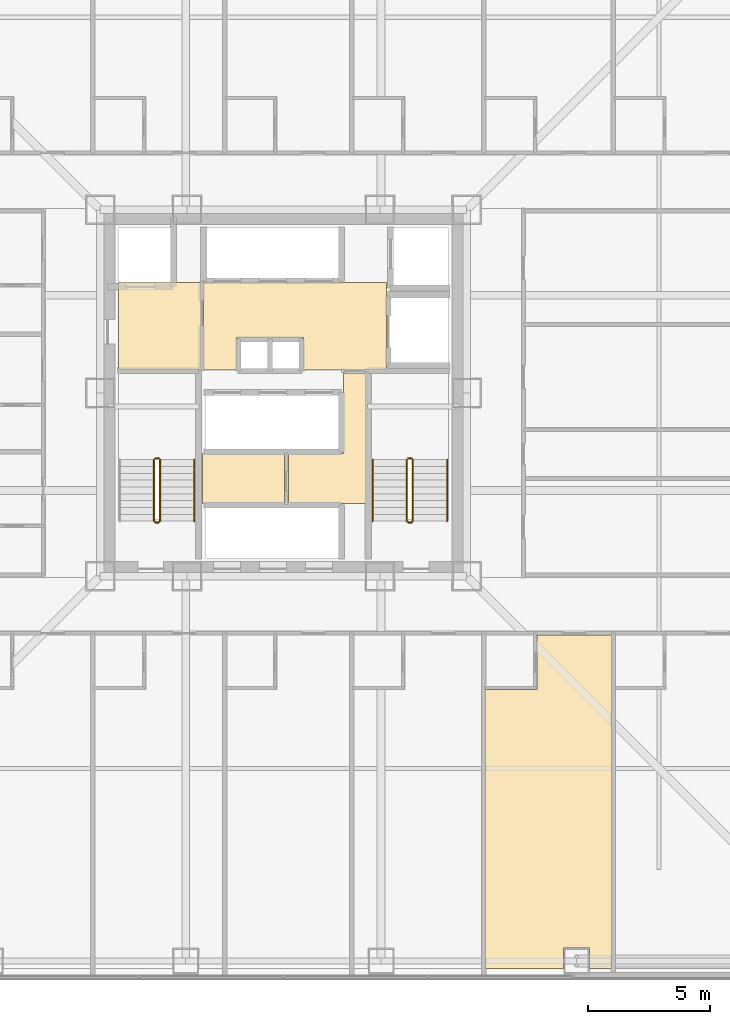
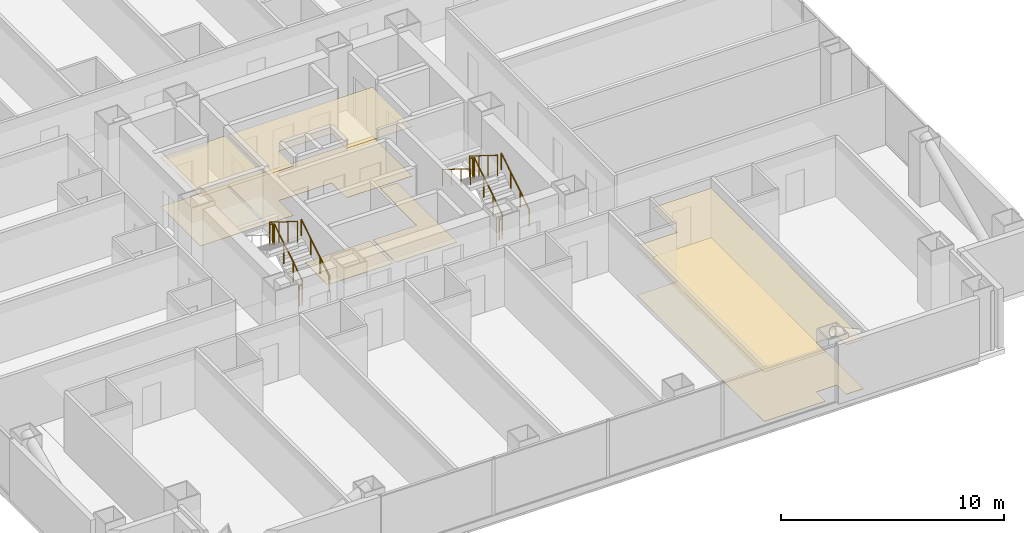
# One storey, part 22 of 23: 11 railings, 8 coverings.
"""IFC4 building model written with IfcOpenShell, lengths in metres."""

from ifc_helpers import new_model, si_unit, direction, frame, origin, origin_2d, place, context, subcontext, project, spatial, polyline, circle, outline, extrude, material, layer, layer_set, type_object, element, save


model = new_model("IFC4")

# Units and contexts
model_context = context("Model", 3, precision=1e-05, world=origin(), true_north=direction((0.0, 1.0)))
body_context = subcontext(model_context, "Body", "Model", "MODEL_VIEW")
ifc_project = project(units=[si_unit("LENGTHUNIT", "METRE"), si_unit("AREAUNIT", "SQUARE_METRE"), si_unit("VOLUMEUNIT", "CUBIC_METRE"), si_unit("PLANEANGLEUNIT", "RADIAN"), si_unit("MASSUNIT", "GRAM", prefix="KILO")], contexts=[model_context])

# Site, building, storey
site_placement = place(None, origin())
site = spatial("IfcSite", under=ifc_project, at=site_placement, CompositionType="ELEMENT")
building_placement = place(site_placement, origin())
building = spatial("IfcBuilding", under=site, at=building_placement, Name="Trevonay Congress Spire", CompositionType="ELEMENT")
storey_placement = place(building_placement, frame((0.0, 0.0, 34.0)))
storey = spatial("IfcBuildingStorey", under=building, at=storey_placement, Name="L07", CompositionType="ELEMENT", Elevation=34.0)

# Coverings
ifc_material_1 = material(Name="Acoustic Mineral Fibre Board", Category="gypsum")
ifc_layer_1 = layer(ifc_material_1, 0.02490234375, Name="Acoustic Mineral Fibre Board")
ifc_layer_set_1 = layer_set([ifc_layer_1], Name="Acoustic Mineral Fibre Board")
covering_type_1 = type_object("IfcCoveringType", Name="COV-CEIL-ACOUSTIC", PredefinedType="CEILING", material=ifc_layer_set_1)
covering_1_placement = place(storey_placement, frame((0.0, 0.0, 2.699951171875)))
element("IfcCovering", 1, at=covering_1_placement, inside=storey, type_object=covering_type_1, Name="L07 Firefighting Lift Lobby West acoustic suspended ceiling", PredefinedType="CEILING", context=body_context, shape_type="SweptSolid", body=[
    extrude(outline(polyline([(-6.75, 0.9599609375), (-3.3798828125, 0.9599609375), (-3.3798828125, 4.52001953125), (-6.75, 4.52001953125), (-6.75, 0.9599609375)])), origin(), (0.0, 0.0, 1.0), 0.025146484375),
])
covering_2_placement = place(storey_placement, frame((0.0, 0.0, 2.699951171875)))
element("IfcCovering", 2, at=covering_2_placement, inside=storey, type_object=covering_type_1, Name="L07 Central and High-Rise Passenger Lift Lobby acoustic suspended ceiling", PredefinedType="CEILING", context=body_context, shape_type="SweptSolid", body=[
    extrude(outline(polyline([(-3.280029296875, 0.949951171875), (-1.919921875, 0.949951171875), (-1.919921875, 2.280029296875), (0.820068359375, 2.280029296875), (0.820068359375, 0.949951171875), (4.219970703125, 0.949951171875), (4.219970703125, 4.52001953125), (-3.280029296875, 4.52001953125), (-3.280029296875, 0.949951171875)])), origin(), (0.0, 0.0, 1.0), 0.025146484375),
])
covering_3_placement = place(storey_placement, frame((0.0, 0.0, 2.699951171875)))
element("IfcCovering", 3, at=covering_3_placement, inside=storey, type_object=covering_type_1, Name="L07 Hotel Guest Room acoustic suspended ceiling", PredefinedType="CEILING", context=body_context, shape_type="SweptSolid", body=[
    extrude(outline(polyline([(8.280029296875, -23.550048828125), (8.280029296875, -12.139892578125), (10.3701171875, -12.139892578125), (10.3701171875, -9.909912109375), (13.419921875, -9.909912109375), (13.419921875, -23.550048828125), (12.534912109375, -23.550048828125), (12.534912109375, -22.715087890625), (11.465087890625, -22.715087890625), (11.465087890625, -23.550048828125), (8.280029296875, -23.550048828125)])), origin(), (0.0, 0.0, 1.0), 0.025146484375),
])
ifc_material_2 = material(Name="Polished Granite Floor Tile", Category="masonry")
ifc_layer_2 = layer(ifc_material_2, 0.02001953125, Name="Polished Granite Floor Tile")
ifc_layer_set_2 = layer_set([ifc_layer_2], Name="Polished Granite Floor Tile")
covering_type_2 = type_object("IfcCoveringType", Name="COV-FLOOR-STONE", PredefinedType="FLOORING", material=ifc_layer_set_2)
covering_4_placement = place(storey_placement, origin())
element("IfcCovering", 4, at=covering_4_placement, inside=storey, type_object=covering_type_2, Name="L07 Firefighting Lift Lobby West floor finish", PredefinedType="FLOORING", context=body_context, shape_type="SweptSolid", body=[
    extrude(outline(polyline([(-6.75, 0.9599609375), (-3.3798828125, 0.9599609375), (-3.3798828125, 4.52001953125), (-6.75, 4.52001953125), (-6.75, 0.9599609375)])), origin(), (0.0, 0.0, 1.0), 0.02001953125),
])
covering_5_placement = place(storey_placement, origin())
element("IfcCovering", 5, at=covering_5_placement, inside=storey, type_object=covering_type_2, Name="L07 Central and High-Rise Passenger Lift Lobby floor finish", PredefinedType="FLOORING", context=body_context, shape_type="SweptSolid", body=[
    extrude(outline(polyline([(-3.280029296875, 0.949951171875), (-1.919921875, 0.949951171875), (-1.919921875, 2.280029296875), (0.820068359375, 2.280029296875), (0.820068359375, 0.949951171875), (4.219970703125, 0.949951171875), (4.219970703125, 4.52001953125), (-3.280029296875, 4.52001953125), (-3.280029296875, 0.949951171875)])), origin(), (0.0, 0.0, 1.0), 0.02001953125),
])
covering_6_placement = place(storey_placement, origin())
element("IfcCovering", 6, at=covering_6_placement, inside=storey, type_object=covering_type_2, Name="L07 Cleaner and Linen Closet floor finish", PredefinedType="FLOORING", context=body_context, shape_type="SweptSolid", body=[
    extrude(outline(polyline([(-3.320068359375, -4.52001953125), (0.050048828125, -4.52001953125), (0.050048828125, -2.47998046875), (-3.320068359375, -2.47998046875), (-3.320068359375, -4.52001953125)])), origin(), (0.0, 0.0, 1.0), 0.02001953125),
])
covering_7_placement = place(storey_placement, origin())
element("IfcCovering", 7, at=covering_7_placement, inside=storey, type_object=covering_type_2, Name="L07 BMS Control Room floor finish", PredefinedType="FLOORING", context=body_context, shape_type="SweptSolid", body=[
    extrude(outline(polyline([(0.199951171875, -4.52001953125), (3.3798828125, -4.52001953125), (3.3798828125, 0.820068359375), (2.4599609375, 0.820068359375), (2.4599609375, -2.47998046875), (0.199951171875, -2.47998046875), (0.199951171875, -4.52001953125)])), origin(), (0.0, 0.0, 1.0), 0.02001953125),
])
ifc_material_3 = material(Name="Engineered Oak Flooring", Category="wood")
ifc_layer_3 = layer(ifc_material_3, 0.01806640625, Name="Engineered Oak Flooring")
ifc_layer_set_3 = layer_set([ifc_layer_3], Name="Engineered Oak Flooring")
covering_type_3 = type_object("IfcCoveringType", Name="COV-FLOOR-TIMBER", PredefinedType="FLOORING", material=ifc_layer_set_3)
covering_8_placement = place(storey_placement, origin())
element("IfcCovering", 8, at=covering_8_placement, inside=storey, type_object=covering_type_3, Name="L07 Hotel Guest Room floor finish", PredefinedType="FLOORING", context=body_context, shape_type="SweptSolid", body=[
    extrude(outline(polyline([(8.280029296875, -23.550048828125), (8.280029296875, -12.139892578125), (10.3701171875, -12.139892578125), (10.3701171875, -9.909912109375), (13.419921875, -9.909912109375), (13.419921875, -23.550048828125), (12.534912109375, -23.550048828125), (12.534912109375, -22.715087890625), (11.465087890625, -22.715087890625), (11.465087890625, -23.550048828125), (8.280029296875, -23.550048828125)])), origin(), (0.0, 0.0, 1.0), 0.01806640625),
])

# Railings
ifc_material_4 = material(Name="Pale Anodised Aluminium EN AW-6063-T6", Category="aluminium")
railing_type_1 = type_object("IfcRailingType", Name="RAL-STAIR-GUARD-110", PredefinedType="GUARDRAIL", material=ifc_material_4)
railing_1_placement = place(storey_placement, frame((-5.050048828125, -5.25, 0.175048828125)))
element("IfcRailing", 9, at=railing_1_placement, inside=storey, type_object=railing_type_1, Name="L07 ST-1 stair guard 1", PredefinedType="GUARDRAIL", context=body_context, shape_type="SweptSolid", body=[
    extrude(circle(Radius=0.02392578125, at=origin_2d()), frame((0.0, 0.0, 1.1259765625), z_axis=(0.0, 0.848007534815, 0.529984170421), x_axis=(-1.0, 0.0, 0.0)), (0.0, 0.0, 1.0), 2.9716796875),
    extrude(circle(Radius=0.02099609375, at=origin_2d()), origin(), (0.0, 0.0, 1.0), 1.101806640625),
    extrude(circle(Radius=0.02099609375, at=origin_2d()), frame((0.0, 0.840087890625, 0.52490234375)), (0.0, 0.0, 1.0), 1.101806640625),
    extrude(circle(Radius=0.02099609375, at=origin_2d()), frame((0.0, 1.679931640625, 1.050048828125)), (0.0, 0.0, 1.0), 1.101806640625),
    extrude(circle(Radius=0.02099609375, at=origin_2d()), frame((0.0, 2.52001953125, 1.574951171875)), (0.0, 0.0, 1.0), 1.101806640625),
])
railing_2_placement = place(storey_placement, frame((-5.10009765625, -2.679931640625, 1.75)))
element("IfcRailing", 10, at=railing_2_placement, inside=storey, type_object=railing_type_1, Name="L07 ST-1 stair guard 2", PredefinedType="GUARDRAIL", context=body_context, shape_type="SweptSolid", body=[
    extrude(circle(Radius=0.02392578125, at=origin_2d()), frame((0.0, 0.0, 1.1259765625), z_axis=(-1.0, 0.0, 0.0), x_axis=(0.0, -1.0, 0.0)), (0.0, 0.0, 1.0), 0.14990234375),
    extrude(circle(Radius=0.02099609375, at=origin_2d()), origin(), (0.0, 0.0, 1.0), 1.101806640625),
    extrude(circle(Radius=0.02099609375, at=origin_2d()), frame((-0.14990234375, 0.0, 0.0)), (0.0, 0.0, 1.0), 1.101806640625),
])
railing_3_placement = place(storey_placement, frame((-5.300048828125, -2.72998046875, 1.925048828125)))
element("IfcRailing", 11, at=railing_3_placement, inside=storey, type_object=railing_type_1, Name="L07 ST-1 stair guard 3", PredefinedType="GUARDRAIL", context=body_context, shape_type="SweptSolid", body=[
    extrude(circle(Radius=0.02392578125, at=origin_2d()), frame((0.0, 0.0, 1.1259765625), z_axis=(0.0, -0.848007534815, 0.529984170421), x_axis=(1.0, 0.0, 0.0)), (0.0, 0.0, 1.0), 2.9716796875),
    extrude(circle(Radius=0.02099609375, at=origin_2d()), origin(), (0.0, 0.0, 1.0), 1.101806640625),
    extrude(circle(Radius=0.02099609375, at=origin_2d()), frame((0.0, -0.840087890625, 0.52490234375)), (0.0, 0.0, 1.0), 1.101806640625),
    extrude(circle(Radius=0.02099609375, at=origin_2d()), frame((0.0, -1.679931640625, 1.050048828125)), (0.0, 0.0, 1.0), 1.101806640625),
    extrude(circle(Radius=0.02099609375, at=origin_2d()), frame((0.0, -2.52001953125, 1.574951171875)), (0.0, 0.0, 1.0), 1.101806640625),
])
railing_4_placement = place(storey_placement, frame((-5.10009765625, -5.300048828125, 0.0)))
element("IfcRailing", 12, at=railing_4_placement, inside=storey, type_object=railing_type_1, Name="L07 ST-1 stair guard 4", PredefinedType="GUARDRAIL", context=body_context, shape_type="SweptSolid", body=[
    extrude(circle(Radius=0.02392578125, at=origin_2d()), frame((0.0, 0.0, 1.1259765625), z_axis=(-1.0, 0.0, 0.0), x_axis=(0.0, -1.0, 0.0)), (0.0, 0.0, 1.0), 0.14990234375),
    extrude(circle(Radius=0.02099609375, at=origin_2d()), origin(), (0.0, 0.0, 1.0), 1.101806640625),
    extrude(circle(Radius=0.02099609375, at=origin_2d()), frame((-0.14990234375, 0.0, 0.0)), (0.0, 0.0, 1.0), 1.101806640625),
])
railing_5_placement = place(storey_placement, frame((5.300048828125, -5.25, 0.175048828125)))
element("IfcRailing", 13, at=railing_5_placement, inside=storey, type_object=railing_type_1, Name="L07 ST-2 stair guard 1", PredefinedType="GUARDRAIL", context=body_context, shape_type="SweptSolid", body=[
    extrude(circle(Radius=0.02392578125, at=origin_2d()), frame((0.0, 0.0, 1.1259765625), z_axis=(0.0, 0.848007534815, 0.529984170421), x_axis=(-1.0, 0.0, 0.0)), (0.0, 0.0, 1.0), 2.9716796875),
    extrude(circle(Radius=0.02099609375, at=origin_2d()), origin(), (0.0, 0.0, 1.0), 1.101806640625),
    extrude(circle(Radius=0.02099609375, at=origin_2d()), frame((0.0, 0.840087890625, 0.52490234375)), (0.0, 0.0, 1.0), 1.101806640625),
    extrude(circle(Radius=0.02099609375, at=origin_2d()), frame((0.0, 1.679931640625, 1.050048828125)), (0.0, 0.0, 1.0), 1.101806640625),
    extrude(circle(Radius=0.02099609375, at=origin_2d()), frame((0.0, 2.52001953125, 1.574951171875)), (0.0, 0.0, 1.0), 1.101806640625),
])
railing_6_placement = place(storey_placement, frame((5.25, -2.679931640625, 1.75)))
element("IfcRailing", 14, at=railing_6_placement, inside=storey, type_object=railing_type_1, Name="L07 ST-2 stair guard 2", PredefinedType="GUARDRAIL", context=body_context, shape_type="SweptSolid", body=[
    extrude(circle(Radius=0.02392578125, at=origin_2d()), frame((0.0, 0.0, 1.1259765625), z_axis=(-1.0, 0.0, 0.0), x_axis=(0.0, -1.0, 0.0)), (0.0, 0.0, 1.0), 0.14990234375),
    extrude(circle(Radius=0.02099609375, at=origin_2d()), origin(), (0.0, 0.0, 1.0), 1.101806640625),
    extrude(circle(Radius=0.02099609375, at=origin_2d()), frame((-0.14990234375, 0.0, 0.0)), (0.0, 0.0, 1.0), 1.101806640625),
])
railing_7_placement = place(storey_placement, frame((5.050048828125, -2.72998046875, 1.925048828125)))
element("IfcRailing", 15, at=railing_7_placement, inside=storey, type_object=railing_type_1, Name="L07 ST-2 stair guard 3", PredefinedType="GUARDRAIL", context=body_context, shape_type="SweptSolid", body=[
    extrude(circle(Radius=0.02392578125, at=origin_2d()), frame((0.0, 0.0, 1.1259765625), z_axis=(0.0, -0.848007534815, 0.529984170421), x_axis=(1.0, 0.0, 0.0)), (0.0, 0.0, 1.0), 2.9716796875),
    extrude(circle(Radius=0.02099609375, at=origin_2d()), origin(), (0.0, 0.0, 1.0), 1.101806640625),
    extrude(circle(Radius=0.02099609375, at=origin_2d()), frame((0.0, -0.840087890625, 0.52490234375)), (0.0, 0.0, 1.0), 1.101806640625),
    extrude(circle(Radius=0.02099609375, at=origin_2d()), frame((0.0, -1.679931640625, 1.050048828125)), (0.0, 0.0, 1.0), 1.101806640625),
    extrude(circle(Radius=0.02099609375, at=origin_2d()), frame((0.0, -2.52001953125, 1.574951171875)), (0.0, 0.0, 1.0), 1.101806640625),
])
railing_8_placement = place(storey_placement, frame((5.25, -5.300048828125, 0.0)))
element("IfcRailing", 16, at=railing_8_placement, inside=storey, type_object=railing_type_1, Name="L07 ST-2 stair guard 4", PredefinedType="GUARDRAIL", context=body_context, shape_type="SweptSolid", body=[
    extrude(circle(Radius=0.02392578125, at=origin_2d()), frame((0.0, 0.0, 1.1259765625), z_axis=(-1.0, 0.0, 0.0), x_axis=(0.0, -1.0, 0.0)), (0.0, 0.0, 1.0), 0.14990234375),
    extrude(circle(Radius=0.02099609375, at=origin_2d()), origin(), (0.0, 0.0, 1.0), 1.101806640625),
    extrude(circle(Radius=0.02099609375, at=origin_2d()), frame((-0.14990234375, 0.0, 0.0)), (0.0, 0.0, 1.0), 1.101806640625),
])
railing_type_2 = type_object("IfcRailingType", Name="RAL-STAIR-HANDRAIL", PredefinedType="HANDRAIL", material=ifc_material_4)
for number, where, name in (
    (17, (-3.64990234375, -5.25, 0.175048828125), "L07 ST-1 stair handrail 1"),
    (18, (6.699951171875, -5.25, 0.175048828125), "L07 ST-2 stair handrail 1"),
):
    element("IfcRailing", number, at=place(storey_placement, frame(where)), inside=storey, type_object=railing_type_2, Name=name, PredefinedType="HANDRAIL", context=body_context, shape_type="SweptSolid", body=[
        extrude(circle(Radius=0.02392578125, at=origin_2d()), frame((0.0, 0.0, 0.8759765625), z_axis=(0.0, 0.848007534815, 0.529984170421), x_axis=(-1.0, 0.0, 0.0)), (0.0, 0.0, 1.0), 2.9716796875),
        extrude(circle(Radius=0.02099609375, at=origin_2d()), origin(), (0.0, 0.0, 1.0), 0.851806640625),
        extrude(circle(Radius=0.02099609375, at=origin_2d()), frame((0.0, 0.840087890625, 0.52490234375)), (0.0, 0.0, 1.0), 0.851806640625),
        extrude(circle(Radius=0.02099609375, at=origin_2d()), frame((0.0, 1.679931640625, 1.050048828125)), (0.0, 0.0, 1.0), 0.851806640625),
        extrude(circle(Radius=0.02099609375, at=origin_2d()), frame((0.0, 2.52001953125, 1.574951171875)), (0.0, 0.0, 1.0), 0.851806640625),
    ])
railing_9_placement = place(storey_placement, frame((3.64990234375, -2.72998046875, 1.925048828125)))
element("IfcRailing", 19, at=railing_9_placement, inside=storey, type_object=railing_type_2, Name="L07 ST-2 stair handrail 2", PredefinedType="HANDRAIL", context=body_context, shape_type="SweptSolid", body=[
    extrude(circle(Radius=0.02392578125, at=origin_2d()), frame((0.0, 0.0, 0.8759765625), z_axis=(0.0, -0.848007534815, 0.529984170421), x_axis=(1.0, 0.0, 0.0)), (0.0, 0.0, 1.0), 2.9716796875),
    extrude(circle(Radius=0.02099609375, at=origin_2d()), origin(), (0.0, 0.0, 1.0), 0.851806640625),
    extrude(circle(Radius=0.02099609375, at=origin_2d()), frame((0.0, -0.840087890625, 0.52490234375)), (0.0, 0.0, 1.0), 0.851806640625),
    extrude(circle(Radius=0.02099609375, at=origin_2d()), frame((0.0, -1.679931640625, 1.050048828125)), (0.0, 0.0, 1.0), 0.851806640625),
    extrude(circle(Radius=0.02099609375, at=origin_2d()), frame((0.0, -2.52001953125, 1.574951171875)), (0.0, 0.0, 1.0), 0.851806640625),
])

save(model, "model.ifc")
